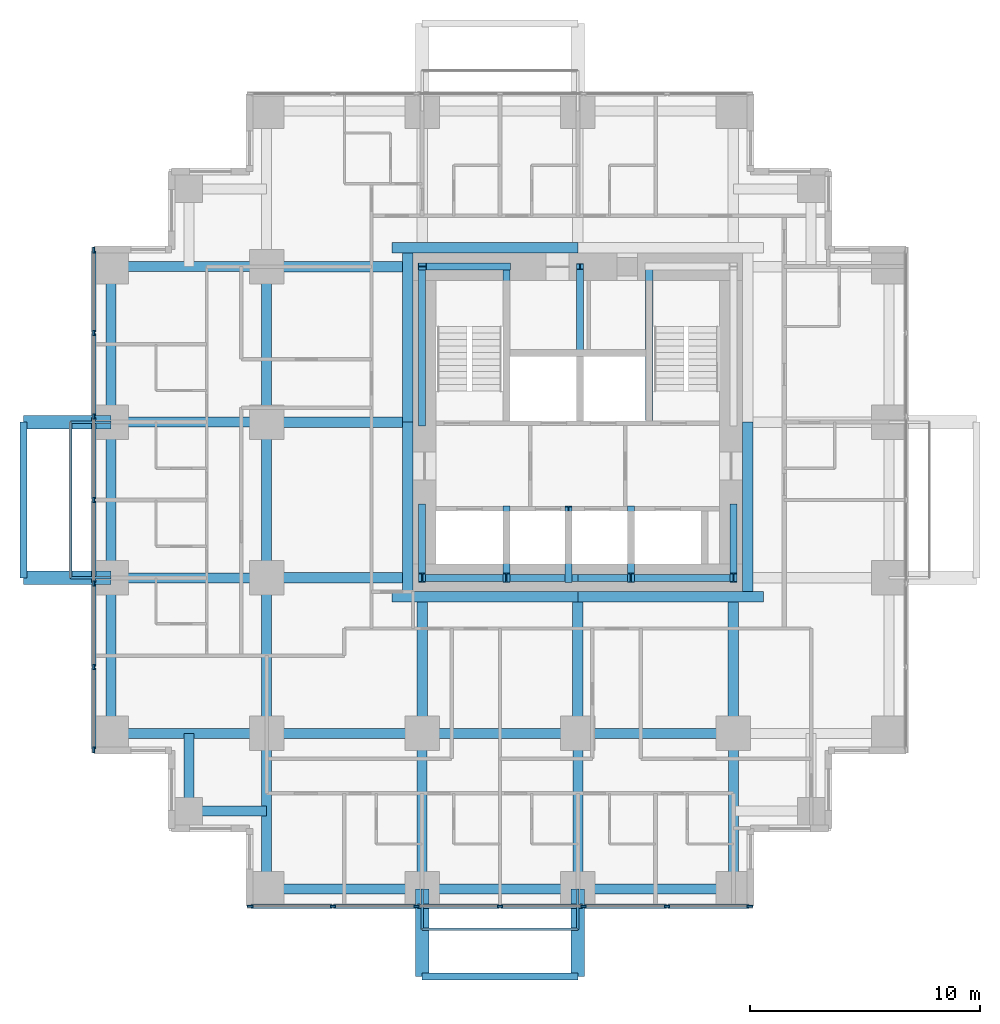
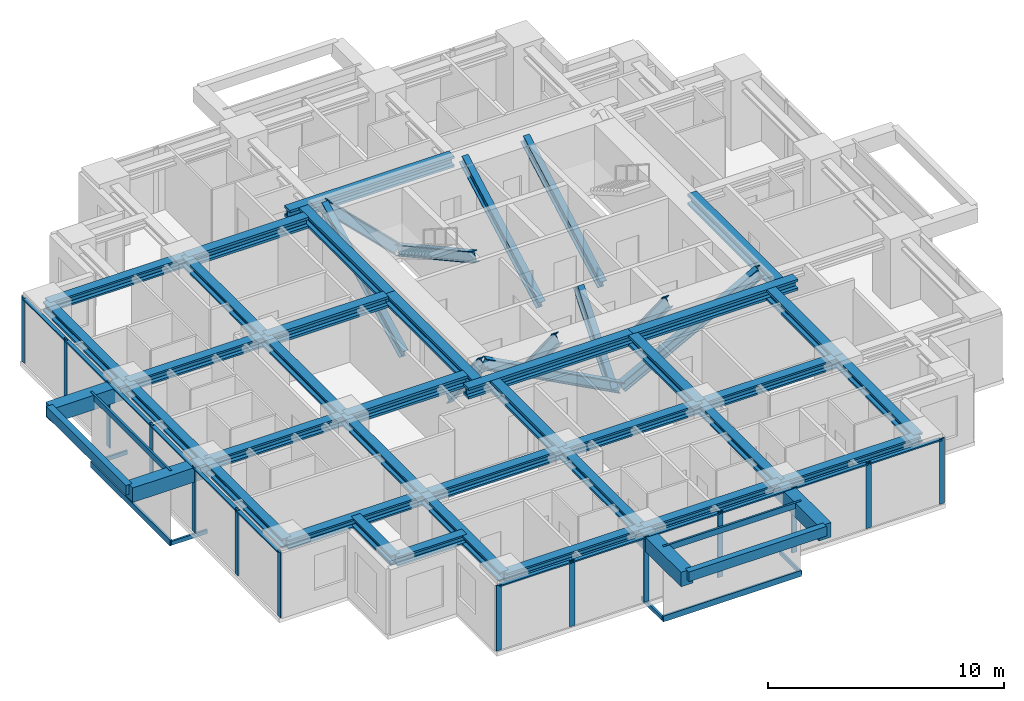
# One storey, part 2 of 11: 46 members, 40 beams, 2 elements without a shape of their own.
"""IFC4 building model written with IfcOpenShell, lengths in metres."""

from ifc_helpers import new_model, si_unit, direction, frame, origin, origin_2d, place, context, subcontext, project, spatial, rectangle, hollow_rectangle, i_section, extrude, material, material_profile, profile_set, type_object, element, aggregate, save


model = new_model("IFC4")

# Units and contexts
model_context = context("Model", 3, precision=1e-05, world=origin(), true_north=direction((0.0, 1.0)))
body_context = subcontext(model_context, "Body", "Model", "MODEL_VIEW")
ifc_project = project(units=[si_unit("LENGTHUNIT", "METRE"), si_unit("AREAUNIT", "SQUARE_METRE"), si_unit("VOLUMEUNIT", "CUBIC_METRE"), si_unit("PLANEANGLEUNIT", "RADIAN"), si_unit("MASSUNIT", "GRAM", prefix="KILO")], contexts=[model_context])

# Site, building, storey
site_placement = place(None, origin())
site = spatial("IfcSite", under=ifc_project, at=site_placement, CompositionType="ELEMENT")
building_placement = place(site_placement, origin())
building = spatial("IfcBuilding", under=site, at=building_placement, Name="Nyansa Garden Tower", CompositionType="ELEMENT")
storey_placement = place(building_placement, frame((0.0, 0.0, 160.199951171875)))
storey = spatial("IfcBuildingStorey", under=building, at=storey_placement, Name="L43", CompositionType="ELEMENT", Elevation=160.199951171875)

# Beams
ifc_material_1 = material(Name="Concrete C70/85", Category="concrete")
ifc_material_profile_1 = material_profile(ifc_material_1, rectangle(XDim=0.60009765625, YDim=0.75, at=origin_2d()), Name="RC 600x750")
ifc_profile_set_1 = profile_set([ifc_material_profile_1], Name="Concrete C70/85")
beam_type_1 = type_object("IfcBeamType", Name="Balcony cantilever beam CB1 RC 600x750", PredefinedType="BEAM", material=ifc_profile_set_1)
for number, where, z_axis, x_axis, name in (
    (1, (13.5, 0.0, 2.985107421875), (0.0, -1.0, 0.0), (1.0, 0.0, 0.0), "Balcony cantilever beam L44"),
    (2, (20.25, 0.0, 2.985107421875), (0.0, -1.0, 0.0), (1.0, 0.0, 0.0), "Balcony cantilever beam L44"),
    (3, (0.0, 13.5, 2.985107421875), (-1.0, 0.0, 0.0), (0.0, -1.0, 0.0), "Balcony cantilever beam L44"),
    (4, (0.0, 20.25, 2.985107421875), (-1.0, 0.0, 0.0), (0.0, -1.0, 0.0), "Balcony cantilever beam L44"),
):
    element("IfcBeam", number, at=place(storey_placement, frame(where, z_axis=z_axis, x_axis=x_axis)), inside=storey, type_object=beam_type_1, Name=name, PredefinedType="BEAM", context=body_context, shape_type="SweptSolid", body=[
        extrude(rectangle(XDim=0.60009765625, YDim=0.75, at=origin_2d()), origin(), (0.0, 0.0, 1.0), 3.800048828125),
    ])
ifc_material_2 = material(Name="Concrete C70/85", Category="concrete")
ifc_material_profile_2 = material_profile(ifc_material_2, rectangle(XDim=0.300048828125, YDim=0.5, at=origin_2d()), Name="RC 300x500")
ifc_profile_set_2 = profile_set([ifc_material_profile_2], Name="Concrete C70/85")
beam_type_2 = type_object("IfcBeamType", Name="Balcony edge beam BE1 RC 300x500", PredefinedType="BEAM", material=ifc_profile_set_2)
for number, where, z_axis, x_axis, name in (
    (5, (13.5, -3.800048828125, 3.110107421875), (1.0, 0.0, 0.0), (0.0, 1.0, 0.0), "Balcony edge beam L44"),
    (6, (-3.800048828125, 13.5, 3.110107421875), (0.0, 1.0, 0.0), (-1.0, 0.0, 0.0), "Balcony edge beam L44"),
):
    element("IfcBeam", number, at=place(storey_placement, frame(where, z_axis=z_axis, x_axis=x_axis)), inside=storey, type_object=beam_type_2, Name=name, PredefinedType="BEAM", context=body_context, shape_type="SweptSolid", body=[
        extrude(rectangle(XDim=0.300048828125, YDim=0.5, at=origin_2d()), origin(), (0.0, 0.0, 1.0), 6.75),
    ])

# Curtain wall, members
ifc_material_3 = material(Name="Black anodised aluminium, dark tinted double glazing", Category="aluminium")
curtain_wall_type = type_object("IfcCurtainWallType", Name="Inner skin curtain wall ISW-C", PredefinedType="USERDEFINED", material=ifc_material_3)
curtain_wall_1_placement = place(storey_placement, origin())
curtain_wall_1 = element("IfcCurtainWall", 7, at=curtain_wall_1_placement, inside=storey, type_object=curtain_wall_type, Name="Inner skin curtain wall L43 W", ObjectType="UNITISED CURTAIN WALL", PredefinedType="USERDEFINED")
ifc_material_4 = material(Name="Black anodised aluminium", Category="aluminium")
ifc_material_profile_3 = material_profile(ifc_material_4, rectangle(XDim=0.070068359375, YDim=0.25, at=origin_2d()), Name="Mullion 250x70")
ifc_profile_set_3 = profile_set([ifc_material_profile_3], Name="Black anodised aluminium")
member_type_1 = type_object("IfcMemberType", Name="Mullion ISW-C 250x70", PredefinedType="MULLION", material=ifc_profile_set_3)
member_1_placement = place(storey_placement, frame((-0.75, 27.715087890625, 0.0), z_axis=(0.0, 0.0, 1.0), x_axis=(1.0, 0.0, 0.0)))
member_1 = element("IfcMember", 8, at=member_1_placement, type_object=member_type_1, Name="ISW-C mullion 1", PredefinedType="MULLION", context=body_context, shape_type="SweptSolid", body=[
    extrude(rectangle(XDim=0.070068359375, YDim=0.25, at=origin_2d()), origin(), (0.0, 0.0, 1.0), 3.375),
])
member_2_placement = place(storey_placement, frame((-0.75, 24.125, 0.0), z_axis=(0.0, 0.0, 1.0), x_axis=(1.0, 0.0, 0.0)))
member_2 = element("IfcMember", 9, at=member_2_placement, type_object=member_type_1, Name="ISW-C mullion 2", PredefinedType="MULLION", context=body_context, shape_type="SweptSolid", body=[
    extrude(rectangle(XDim=0.070068359375, YDim=0.25, at=origin_2d()), origin(), (0.0, 0.0, 1.0), 3.375),
])
member_3_placement = place(storey_placement, frame((-0.75, 20.5, 0.0), z_axis=(0.0, 0.0, 1.0), x_axis=(1.0, 0.0, 0.0)))
member_3 = element("IfcMember", 10, at=member_3_placement, type_object=member_type_1, Name="ISW-C mullion 3", PredefinedType="MULLION", context=body_context, shape_type="SweptSolid", body=[
    extrude(rectangle(XDim=0.070068359375, YDim=0.25, at=origin_2d()), origin(), (0.0, 0.0, 1.0), 3.375),
])
member_4_placement = place(storey_placement, frame((-0.75, 16.875, 0.0), z_axis=(0.0, 0.0, 1.0), x_axis=(1.0, 0.0, 0.0)))
member_4 = element("IfcMember", 11, at=member_4_placement, type_object=member_type_1, Name="ISW-C mullion 4", PredefinedType="MULLION", context=body_context, shape_type="SweptSolid", body=[
    extrude(rectangle(XDim=0.070068359375, YDim=0.25, at=origin_2d()), origin(), (0.0, 0.0, 1.0), 3.375),
])
member_5_placement = place(storey_placement, frame((-0.75, 13.25, 0.0), z_axis=(0.0, 0.0, 1.0), x_axis=(1.0, 0.0, 0.0)))
member_5 = element("IfcMember", 12, at=member_5_placement, type_object=member_type_1, Name="ISW-C mullion 5", PredefinedType="MULLION", context=body_context, shape_type="SweptSolid", body=[
    extrude(rectangle(XDim=0.070068359375, YDim=0.25, at=origin_2d()), origin(), (0.0, 0.0, 1.0), 3.375),
])
member_6_placement = place(storey_placement, frame((-0.75, 9.625, 0.0), z_axis=(0.0, 0.0, 1.0), x_axis=(1.0, 0.0, 0.0)))
member_6 = element("IfcMember", 13, at=member_6_placement, type_object=member_type_1, Name="ISW-C mullion 6", PredefinedType="MULLION", context=body_context, shape_type="SweptSolid", body=[
    extrude(rectangle(XDim=0.070068359375, YDim=0.25, at=origin_2d()), origin(), (0.0, 0.0, 1.0), 3.375),
])
member_7_placement = place(storey_placement, frame((-0.75, 6.034912109375, 0.0), z_axis=(0.0, 0.0, 1.0), x_axis=(1.0, 0.0, 0.0)))
member_7 = element("IfcMember", 14, at=member_7_placement, type_object=member_type_1, Name="ISW-C mullion 7", PredefinedType="MULLION", context=body_context, shape_type="SweptSolid", body=[
    extrude(rectangle(XDim=0.070068359375, YDim=0.25, at=origin_2d()), origin(), (0.0, 0.0, 1.0), 3.375),
])

curtain_wall_2_placement = place(storey_placement, origin())
curtain_wall_2 = element("IfcCurtainWall", 15, at=curtain_wall_2_placement, inside=storey, type_object=curtain_wall_type, Name="Inner skin curtain wall L43 S", ObjectType="UNITISED CURTAIN WALL", PredefinedType="USERDEFINED")
member_8_placement = place(storey_placement, frame((6.034912109375, -0.75, 0.0), z_axis=(0.0, 0.0, 1.0), x_axis=(0.0, 1.0, 0.0)))
member_8 = element("IfcMember", 16, at=member_8_placement, type_object=member_type_1, Name="ISW-C mullion 1", PredefinedType="MULLION", context=body_context, shape_type="SweptSolid", body=[
    extrude(rectangle(XDim=0.070068359375, YDim=0.25, at=origin_2d()), origin(), (0.0, 0.0, 1.0), 3.375),
])
member_9_placement = place(storey_placement, frame((9.625, -0.75, 0.0), z_axis=(0.0, 0.0, 1.0), x_axis=(0.0, 1.0, 0.0)))
member_9 = element("IfcMember", 17, at=member_9_placement, type_object=member_type_1, Name="ISW-C mullion 2", PredefinedType="MULLION", context=body_context, shape_type="SweptSolid", body=[
    extrude(rectangle(XDim=0.070068359375, YDim=0.25, at=origin_2d()), origin(), (0.0, 0.0, 1.0), 3.375),
])
member_10_placement = place(storey_placement, frame((13.25, -0.75, 0.0), z_axis=(0.0, 0.0, 1.0), x_axis=(0.0, 1.0, 0.0)))
member_10 = element("IfcMember", 18, at=member_10_placement, type_object=member_type_1, Name="ISW-C mullion 3", PredefinedType="MULLION", context=body_context, shape_type="SweptSolid", body=[
    extrude(rectangle(XDim=0.070068359375, YDim=0.25, at=origin_2d()), origin(), (0.0, 0.0, 1.0), 3.375),
])
member_11_placement = place(storey_placement, frame((16.875, -0.75, 0.0), z_axis=(0.0, 0.0, 1.0), x_axis=(0.0, 1.0, 0.0)))
member_11 = element("IfcMember", 19, at=member_11_placement, type_object=member_type_1, Name="ISW-C mullion 4", PredefinedType="MULLION", context=body_context, shape_type="SweptSolid", body=[
    extrude(rectangle(XDim=0.070068359375, YDim=0.25, at=origin_2d()), origin(), (0.0, 0.0, 1.0), 3.375),
])
member_12_placement = place(storey_placement, frame((20.5, -0.75, 0.0), z_axis=(0.0, 0.0, 1.0), x_axis=(0.0, 1.0, 0.0)))
member_12 = element("IfcMember", 20, at=member_12_placement, type_object=member_type_1, Name="ISW-C mullion 5", PredefinedType="MULLION", context=body_context, shape_type="SweptSolid", body=[
    extrude(rectangle(XDim=0.070068359375, YDim=0.25, at=origin_2d()), origin(), (0.0, 0.0, 1.0), 3.375),
])
member_13_placement = place(storey_placement, frame((24.125, -0.75, 0.0), z_axis=(0.0, 0.0, 1.0), x_axis=(0.0, 1.0, 0.0)))
member_13 = element("IfcMember", 21, at=member_13_placement, type_object=member_type_1, Name="ISW-C mullion 6", PredefinedType="MULLION", context=body_context, shape_type="SweptSolid", body=[
    extrude(rectangle(XDim=0.070068359375, YDim=0.25, at=origin_2d()), origin(), (0.0, 0.0, 1.0), 3.375),
])
member_14_placement = place(storey_placement, frame((27.715087890625, -0.75, 0.0), z_axis=(0.0, 0.0, 1.0), x_axis=(0.0, 1.0, 0.0)))
member_14 = element("IfcMember", 22, at=member_14_placement, type_object=member_type_1, Name="ISW-C mullion 7", PredefinedType="MULLION", context=body_context, shape_type="SweptSolid", body=[
    extrude(rectangle(XDim=0.070068359375, YDim=0.25, at=origin_2d()), origin(), (0.0, 0.0, 1.0), 3.375),
])

# Members
ifc_material_5 = material(Name="Steel S355, black powder coated", Category="steel")
ifc_material_profile_4 = material_profile(ifc_material_5, hollow_rectangle(XDim=0.10009765625, YDim=0.199951171875, WallThickness=0.008056640625, at=origin_2d()), Name="RHS 200x100x8")
ifc_profile_set_4 = profile_set([ifc_material_profile_4], Name="Steel S355, black powder coated")
member_type_2 = type_object("IfcMemberType", Name="Outer skin bracket arm RHS 200x100x8", PredefinedType="USERDEFINED", material=ifc_profile_set_4)
for number, where, z_axis, x_axis, name in (
    (23, (0.0, 13.5, -0.375), (-1.0, 0.0, 0.0), (0.0, -1.0, 0.0), "Outer skin bracket arm"),
    (24, (0.0, 20.25, -0.375), (-1.0, 0.0, 0.0), (0.0, -1.0, 0.0), "Outer skin bracket arm"),
    (25, (13.5, 0.0, -0.375), (0.0, -1.0, 0.0), (1.0, 0.0, 0.0), "Outer skin bracket arm"),
    (26, (20.25, 0.0, -0.375), (0.0, -1.0, 0.0), (1.0, 0.0, 0.0), "Outer skin bracket arm"),
):
    element("IfcMember", number, at=place(storey_placement, frame(where, z_axis=z_axis, x_axis=x_axis)), inside=storey, type_object=member_type_2, Name=name, ObjectType="OUTER SKIN BRACKET", PredefinedType="USERDEFINED", context=body_context, shape_type="SweptSolid", body=[
        extrude(hollow_rectangle(XDim=0.10009765625, YDim=0.199951171875, WallThickness=0.008056640625, at=origin_2d()), origin(), (0.0, 0.0, 1.0), 1.75),
    ])
ifc_material_6 = material(Name="Steel S355, black powder coated", Category="steel")
ifc_material_profile_5 = material_profile(ifc_material_6, hollow_rectangle(XDim=0.10009765625, YDim=0.300048828125, WallThickness=0.010009765625, at=origin_2d()), Name="RHS 300x100x10")
ifc_profile_set_5 = profile_set([ifc_material_profile_5], Name="Steel S355, black powder coated")
member_type_3 = type_object("IfcMemberType", Name="Outer skin rail RHS 300x100x10", PredefinedType="USERDEFINED", material=ifc_profile_set_5)
for number, where, z_axis, x_axis, name in (
    (27, (-1.75, 13.5, -0.375), (0.0, 1.0, 0.0), (-1.0, 0.0, 0.0), "Outer skin rail L43"),
    (28, (-1.75, 13.5, 3.22509765625), (0.0, 1.0, 0.0), (-1.0, 0.0, 0.0), "Outer skin rail L43 head"),
    (29, (13.5, -1.75, -0.375), (1.0, 0.0, 0.0), (0.0, 1.0, 0.0), "Outer skin rail L43"),
    (30, (13.5, -1.75, 3.22509765625), (1.0, 0.0, 0.0), (0.0, 1.0, 0.0), "Outer skin rail L43 head"),
):
    element("IfcMember", number, at=place(storey_placement, frame(where, z_axis=z_axis, x_axis=x_axis)), inside=storey, type_object=member_type_3, Name=name, ObjectType="OUTER SKIN RAIL", PredefinedType="USERDEFINED", context=body_context, shape_type="SweptSolid", body=[
        extrude(hollow_rectangle(XDim=0.10009765625, YDim=0.300048828125, WallThickness=0.010009765625, at=origin_2d()), origin(), (0.0, 0.0, 1.0), 6.75),
    ])
ifc_material_7 = material(Name="Steel S355", Category="steel")
ifc_material_profile_6 = material_profile(ifc_material_7, i_section(OverallWidth=0.305908203125, OverallDepth=0.52392578125, WebThickness=0.02099609375, FlangeThickness=0.0400390625, FilletRadius=0.027099609375, at=origin_2d()), Name="HE 500 M")
ifc_profile_set_6 = profile_set([ifc_material_profile_6], Name="Steel S355")
member_type_4 = type_object("IfcMemberType", Name="Perimeter brace HE 500 M", PredefinedType="BRACE", material=ifc_profile_set_6)
for number, where, z_axis, x_axis, name in (
    (31, (20.25, 13.5, 0.0), (-0.882347640589, 0.0, 0.47059817376), (0.0, -1.0, 0.0), "Core brace CS1 L43"),
    (32, (20.25, 13.5, 0.0), (0.882347640589, 0.0, 0.47059817376), (0.0, 1.0, 0.0), "Core brace CS2 L43"),
):
    element("IfcMember", number, at=place(storey_placement, frame(where, z_axis=z_axis, x_axis=x_axis)), inside=storey, type_object=member_type_4, Name=name, PredefinedType="BRACE", context=body_context, shape_type="SweptSolid", body=[
        extrude(i_section(OverallWidth=0.305908203125, OverallDepth=0.52392578125, WebThickness=0.02099609375, FlangeThickness=0.0400390625, FilletRadius=0.027099609375, at=origin_2d()), origin(), (0.0, 0.0, 1.0), 7.650146484375),
    ])
member_15_placement = place(storey_placement, frame((17.14990234375, 27.0, 0.0), z_axis=(-0.711947531702, 0.0, 0.702232662373), x_axis=(0.0, -1.0, 0.0)))
element("IfcMember", 33, at=member_15_placement, inside=storey, type_object=member_type_4, Name="Core brace CN3 L43", PredefinedType="BRACE", context=body_context, shape_type="SweptSolid", body=[
    extrude(i_section(OverallWidth=0.305908203125, OverallDepth=0.52392578125, WebThickness=0.02099609375, FlangeThickness=0.0400390625, FilletRadius=0.027099609375, at=origin_2d()), origin(), (0.0, 0.0, 1.0), 5.126708984375),
])
member_16_placement = place(storey_placement, frame((13.5, 16.5, 0.0), z_axis=(0.0, -0.640174150918, 0.768229820104), x_axis=(1.0, 0.0, 0.0)))
element("IfcMember", 34, at=member_16_placement, inside=storey, type_object=member_type_4, Name="Core brace CW5 L43", PredefinedType="BRACE", context=body_context, shape_type="SweptSolid", body=[
    extrude(i_section(OverallWidth=0.305908203125, OverallDepth=0.52392578125, WebThickness=0.02099609375, FlangeThickness=0.0400390625, FilletRadius=0.027099609375, at=origin_2d()), origin(), (0.0, 0.0, 1.0), 4.686279296875),
])
member_17_placement = place(storey_placement, frame((13.5, 20.199951171875, 0.0), z_axis=(0.0, 0.883784057226, 0.467895009796), x_axis=(-1.0, 0.0, 0.0)))
element("IfcMember", 35, at=member_17_placement, inside=storey, type_object=member_type_4, Name="Core brace CW6 L43", PredefinedType="BRACE", context=body_context, shape_type="SweptSolid", body=[
    extrude(i_section(OverallWidth=0.305908203125, OverallDepth=0.52392578125, WebThickness=0.02099609375, FlangeThickness=0.0400390625, FilletRadius=0.027099609375, at=origin_2d()), origin(), (0.0, 0.0, 1.0), 7.6943359375),
])
member_18_placement = place(storey_placement, frame((27.0, 16.5, 0.0), z_axis=(0.0, -0.640174150918, 0.768229820104), x_axis=(1.0, 0.0, 0.0)))
element("IfcMember", 36, at=member_18_placement, inside=storey, type_object=member_type_4, Name="Core brace CE7 L43", PredefinedType="BRACE", context=body_context, shape_type="SweptSolid", body=[
    extrude(i_section(OverallWidth=0.305908203125, OverallDepth=0.52392578125, WebThickness=0.02099609375, FlangeThickness=0.0400390625, FilletRadius=0.027099609375, at=origin_2d()), origin(), (0.0, 0.0, 1.0), 4.686279296875),
])
for number, where, z_axis, x_axis, name in (
    (37, (17.14990234375, 27.0, 0.0), (0.0, -0.876353113771, 0.481669201822), (1.0, 0.0, 0.0), "Core brace CWS9 L43"),
    (38, (23.35009765625, 20.449951171875, 0.0), (0.0, 0.876353113771, 0.481669201822), (-1.0, 0.0, 0.0), "Core brace CES10 L43"),
):
    element("IfcMember", number, at=place(storey_placement, frame(where, z_axis=z_axis, x_axis=x_axis)), inside=storey, type_object=member_type_4, Name=name, PredefinedType="BRACE", context=body_context, shape_type="SweptSolid", body=[
        extrude(i_section(OverallWidth=0.305908203125, OverallDepth=0.52392578125, WebThickness=0.02099609375, FlangeThickness=0.0400390625, FilletRadius=0.027099609375, at=origin_2d()), origin(), (0.0, 0.0, 1.0), 7.47412109375),
    ])
for number, where, z_axis, x_axis, name in (
    (39, (17.14990234375, 16.39990234375, 0.0), (0.0, -0.627306405886, 0.778772542617), (1.0, 0.0, 0.0), "Core brace CSW11 L43"),
    (40, (19.85009765625, 13.5, 0.0), (0.0, 0.627306405886, 0.778772542617), (-1.0, 0.0, 0.0), "Core brace CSW12 L43"),
    (41, (22.550048828125, 16.39990234375, 0.0), (0.0, -0.627306405886, 0.778772542617), (1.0, 0.0, 0.0), "Core brace CSW13 L43"),
):
    element("IfcMember", number, at=place(storey_placement, frame(where, z_axis=z_axis, x_axis=x_axis)), inside=storey, type_object=member_type_4, Name=name, PredefinedType="BRACE", context=body_context, shape_type="SweptSolid", body=[
        extrude(i_section(OverallWidth=0.305908203125, OverallDepth=0.52392578125, WebThickness=0.02099609375, FlangeThickness=0.0400390625, FilletRadius=0.027099609375, at=origin_2d()), origin(), (0.0, 0.0, 1.0), 4.622802734375),
    ])
member_19_placement = place(storey_placement, frame((20.35009765625, 20.449951171875, 0.0), z_axis=(0.0, 0.876353113771, 0.481669201822), x_axis=(-1.0, 0.0, 0.0)))
element("IfcMember", 42, at=member_19_placement, inside=storey, type_object=member_type_4, Name="Core brace CNW14 L43", PredefinedType="BRACE", context=body_context, shape_type="SweptSolid", body=[
    extrude(i_section(OverallWidth=0.305908203125, OverallDepth=0.52392578125, WebThickness=0.02099609375, FlangeThickness=0.0400390625, FilletRadius=0.027099609375, at=origin_2d()), origin(), (0.0, 0.0, 1.0), 7.47412109375),
])

# Beams
ifc_material_8 = material(Name="Steel S355", Category="steel")
ifc_material_profile_7 = material_profile(ifc_material_8, i_section(OverallWidth=0.431884765625, OverallDepth=0.498046875, WebThickness=0.0556640625, FlangeThickness=0.0888671875, FilletRadius=0.014892578125, at=origin_2d()), Name="HD 400x744")
ifc_profile_set_7 = profile_set([ifc_material_profile_7], Name="Steel S355")
beam_type_3 = type_object("IfcBeamType", Name="Steel beam SBC1-744 HD 400x744", PredefinedType="BEAM", material=ifc_profile_set_7)
for number, where, z_axis, x_axis, name in (
    (43, (0.0, 6.75, 3.1259765625), (1.0, 0.0, 0.0), (0.0, 1.0, 0.0), "Steel beam 2/E-3/E L44"),
    (44, (0.0, 13.5, 3.1259765625), (1.0, 0.0, 0.0), (0.0, 1.0, 0.0), "Steel beam 2/F-3/F L44"),
    (45, (0.0, 20.25, 3.1259765625), (1.0, 0.0, 0.0), (0.0, 1.0, 0.0), "Steel beam 2/G-3/G L44"),
    (46, (0.0, 27.0, 3.1259765625), (1.0, 0.0, 0.0), (0.0, 1.0, 0.0), "Steel beam 2/H-3/H L44"),
    (47, (6.75, 0.0, 3.1259765625), (0.0, 1.0, 0.0), (-1.0, 0.0, 0.0), "Steel beam 3/D-3/E L44"),
    (48, (6.75, 6.75, 3.1259765625), (0.0, 1.0, 0.0), (-1.0, 0.0, 0.0), "Steel beam 3/E-3/F L44"),
    (49, (6.75, 6.75, 3.1259765625), (1.0, 0.0, 0.0), (0.0, 1.0, 0.0), "Steel beam 3/E-4/E L44"),
    (50, (6.75, 13.5, 3.1259765625), (0.0, 1.0, 0.0), (-1.0, 0.0, 0.0), "Steel beam 3/F-3/G L44"),
    (51, (6.75, 20.25, 3.1259765625), (0.0, 1.0, 0.0), (-1.0, 0.0, 0.0), "Steel beam 3/G-3/H L44"),
    (52, (13.5, 0.0, 3.1259765625), (0.0, 1.0, 0.0), (-1.0, 0.0, 0.0), "Steel beam 4/D-4/E L44"),
    (53, (13.5, 6.75, 3.1259765625), (1.0, 0.0, 0.0), (0.0, 1.0, 0.0), "Steel beam 4/E-5/E L44"),
    (54, (20.25, 0.0, 3.1259765625), (0.0, 1.0, 0.0), (-1.0, 0.0, 0.0), "Steel beam 5/D-5/E L44"),
    (55, (20.25, 6.75, 3.1259765625), (1.0, 0.0, 0.0), (0.0, 1.0, 0.0), "Steel beam 5/E-6/E L44"),
    (56, (27.0, 0.0, 3.1259765625), (0.0, 1.0, 0.0), (-1.0, 0.0, 0.0), "Steel beam 6/D-6/E L44"),
):
    element("IfcBeam", number, at=place(storey_placement, frame(where, z_axis=z_axis, x_axis=x_axis)), inside=storey, type_object=beam_type_3, Name=name, PredefinedType="BEAM", context=body_context, shape_type="SweptSolid", body=[
        extrude(i_section(OverallWidth=0.431884765625, OverallDepth=0.498046875, WebThickness=0.0556640625, FlangeThickness=0.0888671875, FilletRadius=0.014892578125, at=origin_2d()), origin(), (0.0, 0.0, 1.0), 6.75),
    ])
ifc_material_9 = material(Name="Steel S355", Category="steel")
ifc_material_profile_8 = material_profile(ifc_material_9, i_section(OverallWidth=0.4541015625, OverallDepth=0.569091796875, WebThickness=0.077880859375, FlangeThickness=0.125, FilletRadius=0.014892578125, at=origin_2d()), Name="HD 400x1086")
ifc_profile_set_8 = profile_set([ifc_material_profile_8], Name="Steel S355")
beam_type_4 = type_object("IfcBeamType", Name="Steel beam SCL-1086 HD 400x1086", PredefinedType="BEAM", material=ifc_profile_set_8)
for number, where, z_axis, x_axis, name in (
    (57, (6.75, 13.5, 3.090576171875), (1.0, 0.0, 0.0), (0.0, 1.0, 0.0), "Steel beam 3/F-12.650/F L44"),
    (58, (6.75, 20.25, 3.090576171875), (1.0, 0.0, 0.0), (0.0, 1.0, 0.0), "Steel beam 3/G-12.650/G L44"),
    (59, (6.75, 27.0, 3.090576171875), (1.0, 0.0, 0.0), (0.0, 1.0, 0.0), "Steel beam 3/H-12.650/H L44"),
):
    element("IfcBeam", number, at=place(storey_placement, frame(where, z_axis=z_axis, x_axis=x_axis)), inside=storey, type_object=beam_type_4, Name=name, PredefinedType="BEAM", context=body_context, shape_type="SweptSolid", body=[
        extrude(i_section(OverallWidth=0.4541015625, OverallDepth=0.569091796875, WebThickness=0.077880859375, FlangeThickness=0.125, FilletRadius=0.014892578125, at=origin_2d()), origin(), (0.0, 0.0, 1.0), 5.89990234375),
    ])
for number, where, z_axis, x_axis, name in (
    (60, (13.5, 6.75, 3.090576171875), (0.0, 1.0, 0.0), (-1.0, 0.0, 0.0), "Steel beam 4/E-4/12.450 L44"),
    (61, (20.25, 6.75, 3.090576171875), (0.0, 1.0, 0.0), (-1.0, 0.0, 0.0), "Steel beam 5/E-5/12.450 L44"),
    (62, (27.0, 6.75, 3.090576171875), (0.0, 1.0, 0.0), (-1.0, 0.0, 0.0), "Steel beam 6/E-6/12.450 L44"),
):
    element("IfcBeam", number, at=place(storey_placement, frame(where, z_axis=z_axis, x_axis=x_axis)), inside=storey, type_object=beam_type_4, Name=name, PredefinedType="BEAM", context=body_context, shape_type="SweptSolid", body=[
        extrude(i_section(OverallWidth=0.4541015625, OverallDepth=0.569091796875, WebThickness=0.077880859375, FlangeThickness=0.125, FilletRadius=0.014892578125, at=origin_2d()), origin(), (0.0, 0.0, 1.0), 5.699951171875),
    ])
for number, where, z_axis, x_axis, name in (
    (63, (12.199951171875, 12.673095703125, 3.090576171875), (1.0, 0.0, 0.0), (0.0, 1.0, 0.0), "Steel core ledger beam S.1 L44"),
    (64, (20.25, 12.673095703125, 3.090576171875), (1.0, 0.0, 0.0), (0.0, 1.0, 0.0), "Steel core ledger beam S.2 L44"),
):
    element("IfcBeam", number, at=place(storey_placement, frame(where, z_axis=z_axis, x_axis=x_axis)), inside=storey, type_object=beam_type_4, Name=name, PredefinedType="BEAM", context=body_context, shape_type="SweptSolid", body=[
        extrude(i_section(OverallWidth=0.4541015625, OverallDepth=0.569091796875, WebThickness=0.077880859375, FlangeThickness=0.125, FilletRadius=0.014892578125, at=origin_2d()), origin(), (0.0, 0.0, 1.0), 8.050048828125),
    ])
beam_1_placement = place(storey_placement, frame((27.626953125, 12.89990234375, 3.090576171875), z_axis=(0.0, 1.0, 0.0), x_axis=(-1.0, 0.0, 0.0)))
element("IfcBeam", 65, at=beam_1_placement, inside=storey, type_object=beam_type_4, Name="Steel core ledger beam E.1 L44", PredefinedType="BEAM", context=body_context, shape_type="SweptSolid", body=[
    extrude(i_section(OverallWidth=0.4541015625, OverallDepth=0.569091796875, WebThickness=0.077880859375, FlangeThickness=0.125, FilletRadius=0.014892578125, at=origin_2d()), origin(), (0.0, 0.0, 1.0), 7.35009765625),
])
beam_2_placement = place(storey_placement, frame((20.25, 27.826904296875, 3.090576171875), z_axis=(-1.0, 0.0, 0.0), x_axis=(0.0, -1.0, 0.0)))
element("IfcBeam", 66, at=beam_2_placement, inside=storey, type_object=beam_type_4, Name="Steel core ledger beam N.2 L44", PredefinedType="BEAM", context=body_context, shape_type="SweptSolid", body=[
    extrude(i_section(OverallWidth=0.4541015625, OverallDepth=0.569091796875, WebThickness=0.077880859375, FlangeThickness=0.125, FilletRadius=0.014892578125, at=origin_2d()), origin(), (0.0, 0.0, 1.0), 8.050048828125),
])
for number, where, z_axis, x_axis, name in (
    (67, (12.873046875, 27.60009765625, 3.090576171875), (0.0, -1.0, 0.0), (1.0, 0.0, 0.0), "Steel core ledger beam W.1 L44"),
    (68, (12.873046875, 20.25, 3.090576171875), (0.0, -1.0, 0.0), (1.0, 0.0, 0.0), "Steel core ledger beam W.2 L44"),
):
    element("IfcBeam", number, at=place(storey_placement, frame(where, z_axis=z_axis, x_axis=x_axis)), inside=storey, type_object=beam_type_4, Name=name, PredefinedType="BEAM", context=body_context, shape_type="SweptSolid", body=[
        extrude(i_section(OverallWidth=0.4541015625, OverallDepth=0.569091796875, WebThickness=0.077880859375, FlangeThickness=0.125, FilletRadius=0.014892578125, at=origin_2d()), origin(), (0.0, 0.0, 1.0), 7.35009765625),
    ])
ifc_material_10 = material(Name="Steel S355", Category="steel")
ifc_material_profile_9 = material_profile(ifc_material_10, i_section(OverallWidth=0.431884765625, OverallDepth=0.498046875, WebThickness=0.0556640625, FlangeThickness=0.0888671875, FilletRadius=0.014892578125, at=origin_2d()), Name="HD 400x744")
ifc_profile_set_9 = profile_set([ifc_material_profile_9], Name="Steel S355")
beam_type_5 = type_object("IfcBeamType", Name="Steel beam SEBC-744 HD 400x744", PredefinedType="BEAM", material=ifc_profile_set_9)
for number, where, z_axis, x_axis, name in (
    (69, (0.0, 6.75, 3.1259765625), (0.0, 1.0, 0.0), (-1.0, 0.0, 0.0), "Steel edge beam 2/E-2/F L44"),
    (70, (0.0, 13.5, 3.1259765625), (0.0, 1.0, 0.0), (-1.0, 0.0, 0.0), "Steel edge beam 2/F-2/G L44"),
    (71, (0.0, 20.25, 3.1259765625), (0.0, 1.0, 0.0), (-1.0, 0.0, 0.0), "Steel edge beam 2/G-2/H L44"),
    (72, (6.75, 0.0, 3.1259765625), (1.0, 0.0, 0.0), (0.0, 1.0, 0.0), "Steel edge beam 3/D-4/D L44"),
    (73, (13.5, 0.0, 3.1259765625), (1.0, 0.0, 0.0), (0.0, 1.0, 0.0), "Steel edge beam 4/D-5/D L44"),
    (74, (20.25, 0.0, 3.1259765625), (1.0, 0.0, 0.0), (0.0, 1.0, 0.0), "Steel edge beam 5/D-6/D L44"),
):
    element("IfcBeam", number, at=place(storey_placement, frame(where, z_axis=z_axis, x_axis=x_axis)), inside=storey, type_object=beam_type_5, Name=name, PredefinedType="BEAM", context=body_context, shape_type="SweptSolid", body=[
        extrude(i_section(OverallWidth=0.431884765625, OverallDepth=0.498046875, WebThickness=0.0556640625, FlangeThickness=0.0888671875, FilletRadius=0.014892578125, at=origin_2d()), origin(), (0.0, 0.0, 1.0), 6.75),
    ])
ifc_material_11 = material(Name="Steel S355", Category="steel")
ifc_material_profile_10 = material_profile(ifc_material_11, i_section(OverallWidth=0.431884765625, OverallDepth=0.498046875, WebThickness=0.0556640625, FlangeThickness=0.0888671875, FilletRadius=0.014892578125, at=origin_2d()), Name="HD 400x744")
ifc_profile_set_10 = profile_set([ifc_material_profile_10], Name="Steel S355")
beam_type_6 = type_object("IfcBeamType", Name="Steel beam SSB1-744 HD 400x744", PredefinedType="BEAM", material=ifc_profile_set_10)
for number, where, z_axis, x_axis, name in (
    (75, (3.375, 3.375, 3.1259765625), (0.0, 1.0, 0.0), (-1.0, 0.0, 0.0), "Steel step beam 3.375/3.375 L44"),
    (76, (3.375, 3.375, 3.1259765625), (1.0, 0.0, 0.0), (0.0, 1.0, 0.0), "Steel step beam 3.375/3.375 L44"),
):
    element("IfcBeam", number, at=place(storey_placement, frame(where, z_axis=z_axis, x_axis=x_axis)), inside=storey, type_object=beam_type_6, Name=name, PredefinedType="BEAM", context=body_context, shape_type="SweptSolid", body=[
        extrude(i_section(OverallWidth=0.431884765625, OverallDepth=0.498046875, WebThickness=0.0556640625, FlangeThickness=0.0888671875, FilletRadius=0.014892578125, at=origin_2d()), origin(), (0.0, 0.0, 1.0), 3.375),
    ])

# Member
ifc_material_12 = material(Name="Black anodised aluminium", Category="aluminium")
ifc_material_profile_11 = material_profile(ifc_material_12, rectangle(XDim=0.179931640625, YDim=0.070068359375, at=origin_2d()), Name="Transom 180x70")
ifc_profile_set_11 = profile_set([ifc_material_profile_11], Name="Black anodised aluminium")
member_type_5 = type_object("IfcMemberType", Name="Transom ISW-C 180x70", PredefinedType="USERDEFINED", material=ifc_profile_set_11)
member_20_placement = place(storey_placement, frame((-0.75, 27.679931640625, 3.340087890625), z_axis=(0.0, -1.0, 0.0), x_axis=(1.0, 0.0, 0.0)))
member_20 = element("IfcMember", 77, at=member_20_placement, type_object=member_type_5, Name="ISW-C transom 1", ObjectType="TRANSOM", PredefinedType="USERDEFINED", context=body_context, shape_type="SweptSolid", body=[
    extrude(rectangle(XDim=0.179931640625, YDim=0.070068359375, at=origin_2d()), origin(), (0.0, 0.0, 1.0), 3.52001953125),
])

member_21_placement = place(storey_placement, frame((-0.75, 24.090087890625, 3.340087890625), z_axis=(0.0, -1.0, 0.0), x_axis=(1.0, 0.0, 0.0)))
member_21 = element("IfcMember", 78, at=member_21_placement, type_object=member_type_5, Name="ISW-C transom 2", ObjectType="TRANSOM", PredefinedType="USERDEFINED", context=body_context, shape_type="SweptSolid", body=[
    extrude(rectangle(XDim=0.179931640625, YDim=0.070068359375, at=origin_2d()), origin(), (0.0, 0.0, 1.0), 3.55517578125),
])

member_22_placement = place(storey_placement, frame((-0.75, 20.465087890625, 3.340087890625), z_axis=(0.0, -1.0, 0.0), x_axis=(1.0, 0.0, 0.0)))
member_22 = element("IfcMember", 79, at=member_22_placement, type_object=member_type_5, Name="ISW-C transom 3", ObjectType="TRANSOM", PredefinedType="USERDEFINED", context=body_context, shape_type="SweptSolid", body=[
    extrude(rectangle(XDim=0.179931640625, YDim=0.070068359375, at=origin_2d()), origin(), (0.0, 0.0, 1.0), 3.55517578125),
])

member_23_placement = place(storey_placement, frame((-0.75, 16.840087890625, 3.340087890625), z_axis=(0.0, -1.0, 0.0), x_axis=(1.0, 0.0, 0.0)))
member_23 = element("IfcMember", 80, at=member_23_placement, type_object=member_type_5, Name="ISW-C transom 4", ObjectType="TRANSOM", PredefinedType="USERDEFINED", context=body_context, shape_type="SweptSolid", body=[
    extrude(rectangle(XDim=0.179931640625, YDim=0.070068359375, at=origin_2d()), origin(), (0.0, 0.0, 1.0), 3.55517578125),
])

member_24_placement = place(storey_placement, frame((-0.75, 13.215087890625, 3.340087890625), z_axis=(0.0, -1.0, 0.0), x_axis=(1.0, 0.0, 0.0)))
member_24 = element("IfcMember", 81, at=member_24_placement, type_object=member_type_5, Name="ISW-C transom 5", ObjectType="TRANSOM", PredefinedType="USERDEFINED", context=body_context, shape_type="SweptSolid", body=[
    extrude(rectangle(XDim=0.179931640625, YDim=0.070068359375, at=origin_2d()), origin(), (0.0, 0.0, 1.0), 3.55517578125),
])

member_25_placement = place(storey_placement, frame((-0.75, 9.590087890625, 3.340087890625), z_axis=(0.0, -1.0, 0.0), x_axis=(1.0, 0.0, 0.0)))
member_25 = element("IfcMember", 82, at=member_25_placement, type_object=member_type_5, Name="ISW-C transom 6", ObjectType="TRANSOM", PredefinedType="USERDEFINED", context=body_context, shape_type="SweptSolid", body=[
    extrude(rectangle(XDim=0.179931640625, YDim=0.070068359375, at=origin_2d()), origin(), (0.0, 0.0, 1.0), 3.52001953125),
])

aggregate(curtain_wall_1, [member_1, member_2, member_3, member_4, member_5, member_6, member_7, member_20, member_21, member_22, member_23, member_24, member_25])

member_26_placement = place(storey_placement, frame((6.070068359375, -0.75, 3.340087890625), z_axis=(1.0, 0.0, 0.0), x_axis=(0.0, 1.0, 0.0)))
member_26 = element("IfcMember", 83, at=member_26_placement, type_object=member_type_5, Name="ISW-C transom 1", ObjectType="TRANSOM", PredefinedType="USERDEFINED", context=body_context, shape_type="SweptSolid", body=[
    extrude(rectangle(XDim=0.179931640625, YDim=0.070068359375, at=origin_2d()), origin(), (0.0, 0.0, 1.0), 3.52001953125),
])

member_27_placement = place(storey_placement, frame((9.659912109375, -0.75, 3.340087890625), z_axis=(1.0, 0.0, 0.0), x_axis=(0.0, 1.0, 0.0)))
member_27 = element("IfcMember", 84, at=member_27_placement, type_object=member_type_5, Name="ISW-C transom 2", ObjectType="TRANSOM", PredefinedType="USERDEFINED", context=body_context, shape_type="SweptSolid", body=[
    extrude(rectangle(XDim=0.179931640625, YDim=0.070068359375, at=origin_2d()), origin(), (0.0, 0.0, 1.0), 3.55517578125),
])

member_28_placement = place(storey_placement, frame((13.284912109375, -0.75, 3.340087890625), z_axis=(1.0, 0.0, 0.0), x_axis=(0.0, 1.0, 0.0)))
member_28 = element("IfcMember", 85, at=member_28_placement, type_object=member_type_5, Name="ISW-C transom 3", ObjectType="TRANSOM", PredefinedType="USERDEFINED", context=body_context, shape_type="SweptSolid", body=[
    extrude(rectangle(XDim=0.179931640625, YDim=0.070068359375, at=origin_2d()), origin(), (0.0, 0.0, 1.0), 3.55517578125),
])

member_29_placement = place(storey_placement, frame((16.909912109375, -0.75, 3.340087890625), z_axis=(1.0, 0.0, 0.0), x_axis=(0.0, 1.0, 0.0)))
member_29 = element("IfcMember", 86, at=member_29_placement, type_object=member_type_5, Name="ISW-C transom 4", ObjectType="TRANSOM", PredefinedType="USERDEFINED", context=body_context, shape_type="SweptSolid", body=[
    extrude(rectangle(XDim=0.179931640625, YDim=0.070068359375, at=origin_2d()), origin(), (0.0, 0.0, 1.0), 3.55517578125),
])

member_30_placement = place(storey_placement, frame((20.534912109375, -0.75, 3.340087890625), z_axis=(1.0, 0.0, 0.0), x_axis=(0.0, 1.0, 0.0)))
member_30 = element("IfcMember", 87, at=member_30_placement, type_object=member_type_5, Name="ISW-C transom 5", ObjectType="TRANSOM", PredefinedType="USERDEFINED", context=body_context, shape_type="SweptSolid", body=[
    extrude(rectangle(XDim=0.179931640625, YDim=0.070068359375, at=origin_2d()), origin(), (0.0, 0.0, 1.0), 3.55517578125),
])

member_31_placement = place(storey_placement, frame((24.159912109375, -0.75, 3.340087890625), z_axis=(1.0, 0.0, 0.0), x_axis=(0.0, 1.0, 0.0)))
member_31 = element("IfcMember", 88, at=member_31_placement, type_object=member_type_5, Name="ISW-C transom 6", ObjectType="TRANSOM", PredefinedType="USERDEFINED", context=body_context, shape_type="SweptSolid", body=[
    extrude(rectangle(XDim=0.179931640625, YDim=0.070068359375, at=origin_2d()), origin(), (0.0, 0.0, 1.0), 3.52001953125),
])

aggregate(curtain_wall_2, [member_8, member_9, member_10, member_11, member_12, member_13, member_14, member_26, member_27, member_28, member_29, member_30, member_31])

save(model, "model.ifc")
